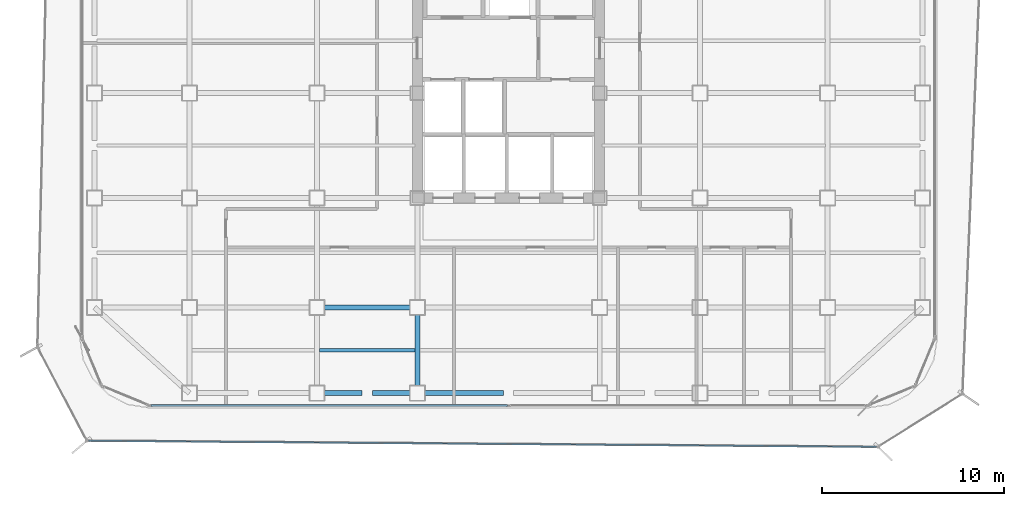
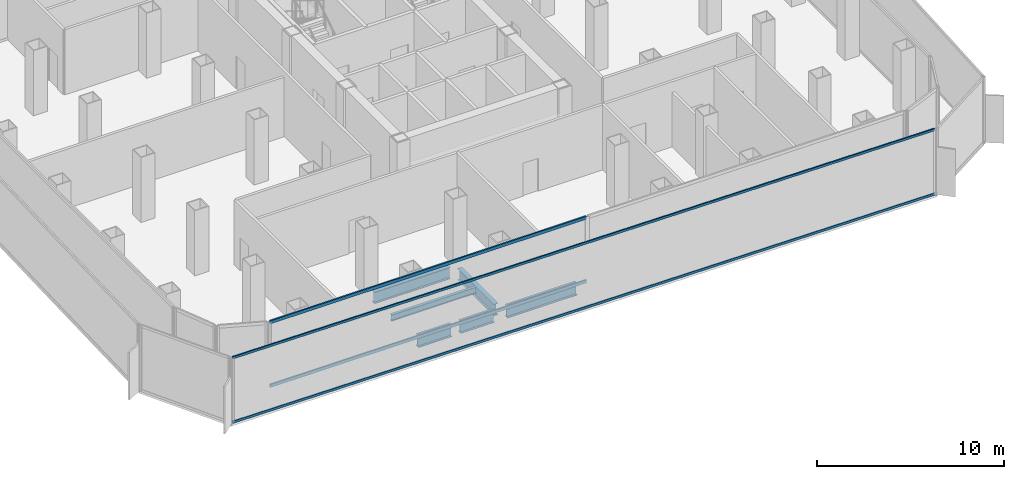
# One storey, part 3 of 21: 6 beams, 4 members, 2 elements without a shape of their own.
"""IFC4 building model written with IfcOpenShell, lengths in metres."""

import ifcopenshell
import ifcopenshell.guid

model = None  # the IFC model being written
_history = None  # IfcOwnerHistory: only IFC2X3 demands one
_inside = {}  # id of a spatial element -> (the spatial element, [elements in it])
_under = {}  # id of a project, library or spatial element -> (it, [spatial elements below it])
_declared = {}  # id of a project -> (the project, [libraries it declares])
_typed = {}  # id of a type object -> (the type object, [elements of that type])
_made_of = {}  # id of a material, layer set ... -> (it, [elements and type objects made of it])


def new_model(schema):
    """Start an empty IFC model of exactly this schema.

    Asked for "IFC4X3", IfcOpenShell would pick the latest addendum, in which some entities
    have other attributes; the version numbers below select the first issue.
    IFC2X3 requires an IfcOwnerHistory on every rooted entity: one is made here for all.
    """
    global model, _history
    if schema == "IFC4X3":
        model = ifcopenshell.file(schema_version=(4, 3, 0, 0))
    else:
        model = ifcopenshell.file(schema=schema)
    _inside.clear()
    _under.clear()
    _declared.clear()
    _typed.clear()
    _made_of.clear()
    _history = None
    if model.schema == "IFC2X3":
        org = make("IfcOrganization", Name="unknown")
        user = make(
            "IfcPersonAndOrganization",
            ThePerson=make("IfcPerson", FamilyName="unknown"),
            TheOrganization=org,
        )
        app = make(
            "IfcApplication",
            ApplicationDeveloper=org,
            Version="unknown",
            ApplicationFullName="unknown",
            ApplicationIdentifier="unknown",
        )
        _history = make(
            "IfcOwnerHistory",
            OwningUser=user,
            OwningApplication=app,
            ChangeAction="ADDED",
            CreationDate=0,
        )
    return model


def make(cls, **values):
    """One entity of the class cls with the attributes given. An attribute that is None is left unset."""
    return model.create_entity(
        cls, **{name: value for name, value in values.items() if value is not None}
    )


def rooted(cls, **values):
    """An entity with a GlobalId (a new one), such as an element, a storey or a relation."""
    return make(cls, GlobalId=ifcopenshell.guid.new(), OwnerHistory=_history, **values)


def si_unit(unit_type, name, prefix=None):
    """IfcSIUnit, for example si_unit("LENGTHUNIT", "METRE", prefix="MILLI")."""
    return make("IfcSIUnit", UnitType=unit_type, Prefix=prefix, Name=name)


def assignment(units):
    """IfcUnitAssignment: the units of a project."""
    return None if units is None else make("IfcUnitAssignment", Units=units)


def point(xyz):
    """IfcCartesianPoint."""
    return None if xyz is None else make("IfcCartesianPoint", Coordinates=xyz)


def direction(xyz):
    """IfcDirection."""
    return None if xyz is None else make("IfcDirection", DirectionRatios=xyz)


def frame(location, z_axis=None, x_axis=None):
    """IfcAxis2Placement3D, a coordinate frame: its origin and axes. An axis left out is left unset."""
    return make(
        "IfcAxis2Placement3D",
        Location=point(location),
        Axis=direction(z_axis),
        RefDirection=direction(x_axis),
    )


def frame_2d(location, x_axis=None):
    """IfcAxis2Placement2D, a coordinate frame in the plane: its origin and x axis."""
    return make(
        "IfcAxis2Placement2D", Location=point(location), RefDirection=direction(x_axis)
    )


def origin():
    """The frame at (0, 0, 0) with its axes left unset."""
    return frame((0.0, 0.0, 0.0))


def origin_2d():
    """The frame at (0, 0) in the plane with its x axis left unset."""
    return frame_2d((0.0, 0.0))


def place(relative_to, where):
    """IfcLocalPlacement: puts the frame where relative to a parent placement (None: the world)."""
    return make(
        "IfcLocalPlacement", PlacementRelTo=relative_to, RelativePlacement=where
    )


def context(
    kind, dimensions, precision=None, world=None, true_north=None, identifier=None
):
    """IfcGeometricRepresentationContext, for example the 3D "Model" context."""
    return make(
        "IfcGeometricRepresentationContext",
        ContextIdentifier=identifier,
        ContextType=kind,
        CoordinateSpaceDimension=dimensions,
        Precision=precision,
        WorldCoordinateSystem=world,
        TrueNorth=true_north,
    )


def subcontext(parent, identifier, kind, view, scale=None):
    """IfcGeometricRepresentationSubContext, for example "Body" below "Model"."""
    return make(
        "IfcGeometricRepresentationSubContext",
        ContextIdentifier=identifier,
        ContextType=kind,
        ParentContext=parent,
        TargetScale=scale,
        TargetView=view,
    )


def project(units=None, contexts=None):
    """IfcProject with its units and contexts."""
    return rooted(
        "IfcProject",
        Name="project",
        RepresentationContexts=contexts,
        UnitsInContext=assignment(units),
    )


def spatial(cls, under=None, at=None, **own):
    """A site, building, storey or space (cls), placed at a placement, below another one or the project."""
    s = rooted(cls, ObjectPlacement=at, **own)
    if under is not None:
        _under.setdefault(under.id(), (under, []))[1].append(s)
    return s


def profile(cls, at=None, kind="AREA", **sizes):
    """A parametric profile (cls). Its sizes go by their IFC names, for example OverallWidth=200.0."""
    return make(cls, ProfileType=kind, Position=at, **sizes)


def hollow_rectangle(**sizes):
    """IfcRectangleHollowProfileDef."""
    return profile("IfcRectangleHollowProfileDef", **sizes)


def i_section(**sizes):
    """IfcIShapeProfileDef."""
    return profile("IfcIShapeProfileDef", **sizes)


def extrude(swept, where, along, depth):
    """IfcExtrudedAreaSolid: the profile swept, set in the frame where, extruded along a direction by depth."""
    return make(
        "IfcExtrudedAreaSolid",
        SweptArea=swept,
        Position=where,
        ExtrudedDirection=direction(along),
        Depth=depth,
    )


def shape(context_of_items, identifier, shape_type, items):
    """IfcShapeRepresentation: the items that make up one representation, for example the "Body"."""
    return make(
        "IfcShapeRepresentation",
        ContextOfItems=context_of_items,
        RepresentationIdentifier=identifier,
        RepresentationType=shape_type,
        Items=items,
    )


def source(mapping_origin, context_of_items, identifier, shape_type, items):
    """IfcRepresentationMap: a shape defined once, which mapped items show again and again."""
    return make(
        "IfcRepresentationMap",
        MappingOrigin=mapping_origin,
        MappedRepresentation=shape(context_of_items, identifier, shape_type, items),
    )


def transform(
    local_origin,
    x_axis=None,
    y_axis=None,
    z_axis=None,
    scale=None,
    scale2=None,
    scale3=None,
    uniform=True,
):
    """IfcCartesianTransformationOperator3D, or its non-uniform kind. x_axis, y_axis, z_axis: its Axis1, 2, 3."""
    if uniform:
        return make(
            "IfcCartesianTransformationOperator3D",
            Axis1=direction(x_axis),
            Axis2=direction(y_axis),
            LocalOrigin=point(local_origin),
            Scale=scale,
            Axis3=direction(z_axis),
        )
    return make(
        "IfcCartesianTransformationOperator3DnonUniform",
        Axis1=direction(x_axis),
        Axis2=direction(y_axis),
        LocalOrigin=point(local_origin),
        Scale=scale,
        Axis3=direction(z_axis),
        Scale2=scale2,
        Scale3=scale3,
    )


def mapped(mapping_source, mapping_target):
    """IfcMappedItem: shows the shape of a source again, moved by a transform."""
    return make(
        "IfcMappedItem", MappingSource=mapping_source, MappingTarget=mapping_target
    )


def material(Name=None, Category=None):
    """IfcMaterial."""
    return make("IfcMaterial", Name=Name, Category=Category)


def layer(
    of_material, thickness, ventilated=None, Name=None, Category=None, Priority=None
):
    """IfcMaterialLayer: one layer of a wall or slab, of a material (None: an air gap)."""
    return make(
        "IfcMaterialLayer",
        Material=of_material,
        LayerThickness=thickness,
        IsVentilated=ventilated,
        Name=Name,
        Category=Category,
        Priority=Priority,
    )


def layer_set(layers, Name=None):
    """IfcMaterialLayerSet."""
    return make("IfcMaterialLayerSet", MaterialLayers=layers, LayerSetName=Name)


def material_profile(
    of_material, cross_section, Name=None, Category=None, Priority=None
):
    """IfcMaterialProfile: a cross section and its material."""
    return make(
        "IfcMaterialProfile",
        Name=Name,
        Material=of_material,
        Profile=cross_section,
        Priority=Priority,
        Category=Category,
    )


def profile_set(profiles, Name=None, composite=None):
    """IfcMaterialProfileSet."""
    return make(
        "IfcMaterialProfileSet",
        Name=Name,
        MaterialProfiles=profiles,
        CompositeProfile=composite,
    )


def made_of(thing, what):
    """Note that an element or type object is made of a material, layer set ...; save() writes the relation."""
    if what is not None:
        _made_of.setdefault(what.id(), (what, []))[1].append(thing)
    return thing


def type_object(cls, material=None, **own):
    """A type object (cls), such as IfcWallType, which elements share."""
    return made_of(rooted(cls, **own), material)


def element(
    cls,
    number,
    at=None,
    inside=None,
    cuts=None,
    type_object=None,
    material=None,
    context=None,
    identifier="Body",
    shape_type=None,
    held_by="IfcProductDefinitionShape",
    body=None,
    shapes=None,
    **own,
):
    """One element of the class cls, such as IfcWall. Its Tag is "e" and its number.

    at: its placement. inside: the storey or other place that contains it. cuts: it is an
    opening in that element (IfcRelVoidsElement). A single representation is given by context,
    identifier, shape_type and body (its items); several are given by shapes. held_by: the class
    of the entity that holds the representations. save() writes the other relations.
    """
    e = rooted(cls, Tag="e%d" % number, ObjectPlacement=at, **own)
    if body is not None:
        shapes = [shape(context, identifier, shape_type, body)]
    if shapes is not None:
        e.Representation = make(held_by, Representations=shapes)
    if inside is not None:
        _inside.setdefault(inside.id(), (inside, []))[1].append(e)
    if cuts is not None:
        rooted(
            "IfcRelVoidsElement", RelatingBuildingElement=cuts, RelatedOpeningElement=e
        )
    if type_object is not None:
        _typed.setdefault(type_object.id(), (type_object, []))[1].append(e)
    return made_of(e, material)


def aggregate(whole, parts):
    """IfcRelAggregates: a whole, such as a stair, and the parts it consists of."""
    return rooted("IfcRelAggregates", RelatingObject=whole, RelatedObjects=parts)


def save(model, path):
    """Write the relations noted so far, then the file.

    IfcRelAggregates (storeys below a building ...), IfcRelContainedInSpatialStructure (elements
    in a storey), IfcRelDefinesByType, IfcRelAssociatesMaterial and IfcRelDeclares: one each for
    every whole, place, type object, material and project.
    """
    for whole, parts in _under.values():
        aggregate(whole, parts)
    for where, things in _inside.values():
        rooted(
            "IfcRelContainedInSpatialStructure",
            RelatedElements=things,
            RelatingStructure=where,
        )
    for kind, things in _typed.values():
        rooted("IfcRelDefinesByType", RelatedObjects=things, RelatingType=kind)
    for what, things in _made_of.values():
        rooted("IfcRelAssociatesMaterial", RelatedObjects=things, RelatingMaterial=what)
    for by, libraries in _declared.values():
        rooted("IfcRelDeclares", RelatingContext=by, RelatedDefinitions=libraries)
    model.write(path)


model = new_model("IFC4")

# Units and contexts
model_context = context("Model", 3, precision=1e-05, world=origin(), true_north=direction((0.0, 1.0)))
body_context = subcontext(model_context, "Body", "Model", "MODEL_VIEW")
ifc_project = project(units=[si_unit("LENGTHUNIT", "METRE"), si_unit("AREAUNIT", "SQUARE_METRE"), si_unit("VOLUMEUNIT", "CUBIC_METRE"), si_unit("PLANEANGLEUNIT", "RADIAN"), si_unit("MASSUNIT", "GRAM", prefix="KILO")], contexts=[model_context])

# Site, building, storey
site_placement = place(None, origin())
site = spatial("IfcSite", under=ifc_project, at=site_placement, CompositionType="ELEMENT")
building_placement = place(site_placement, origin())
building = spatial("IfcBuilding", under=site, at=building_placement, Name="Kolveth Station Tower", CompositionType="ELEMENT")
storey_placement = place(building_placement, frame((0.0, 0.0, 88.199951171875)))
storey = spatial("IfcBuildingStorey", under=building, at=storey_placement, Name="L23", CompositionType="ELEMENT", Elevation=88.199951171875)

# Beams
ifc_material_1 = material(Name="Steel S355", Category="steel")
ifc_material_profile_1 = material_profile(ifc_material_1, i_section(OverallWidth=0.26904296875, OverallDepth=0.77490234375, WebThickness=0.01708984375, FlangeThickness=0.0283203125, at=origin_2d()), Name="W760x220")
ifc_profile_set_1 = profile_set([ifc_material_profile_1], Name="Steel S355")
beam_type_1 = type_object("IfcBeamType", Name="Beam_SP1", PredefinedType="SPANDREL", material=ifc_profile_set_1)
shared_shape_1 = source(origin(), body_context, "Body", "SweptSolid", [
    extrude(i_section(OverallWidth=0.26904296875, OverallDepth=0.77490234375, WebThickness=0.01708984375, FlangeThickness=0.0283203125, at=origin_2d()), origin(), (0.0, 0.0, 1.0), 2.070068359375),
])
for number, where, z_axis, x_axis, name in (
    (1, (13.39990234375, 0.800048828125, -0.74755859375), (1.0, 0.0, 0.0), (0.0, 1.0, 0.0), "L23 Perimeter Spandrel BM-L23-PS-3"),
    (2, (16.030029296875, 0.800048828125, -0.74755859375), (1.0, 0.0, 0.0), (0.0, 1.0, 0.0), "L23 Perimeter Spandrel BM-L23-PS-4"),
):
    element("IfcBeam", number, at=place(storey_placement, frame(where, z_axis=z_axis, x_axis=x_axis)), inside=storey, type_object=beam_type_1, Name=name, PredefinedType="SPANDREL", context=body_context, shape_type="MappedRepresentation", body=[
        mapped(shared_shape_1, transform((0.0, 0.0, 0.0), x_axis=(1.0, 0.0, 0.0), y_axis=(0.0, 1.0, 0.0), z_axis=(0.0, 0.0, 1.0), scale=1.0)),
    ])
shared_shape_2 = source(origin(), body_context, "Body", "SweptSolid", [
    extrude(i_section(OverallWidth=0.26904296875, OverallDepth=0.77490234375, WebThickness=0.01708984375, FlangeThickness=0.0283203125, at=origin_2d()), origin(), (0.0, 0.0, 1.0), 4.320068359375),
])
beam_1_placement = place(storey_placement, frame((18.89990234375, 0.800048828125, -0.74755859375), z_axis=(1.0, 0.0, 0.0), x_axis=(0.0, 1.0, 0.0)))
element("IfcBeam", 3, at=beam_1_placement, inside=storey, type_object=beam_type_1, Name="L23 Perimeter Spandrel BM-L23-PS-5", PredefinedType="SPANDREL", context=body_context, shape_type="MappedRepresentation", body=[
    mapped(shared_shape_2, transform((0.0, 0.0, 0.0), x_axis=(1.0, 0.0, 0.0), y_axis=(0.0, 1.0, 0.0), z_axis=(0.0, 0.0, 1.0), scale=1.0)),
])
ifc_material_profile_2 = material_profile(ifc_material_1, i_section(OverallWidth=0.26708984375, OverallDepth=0.76611328125, WebThickness=0.014892578125, FlangeThickness=0.023681640625, at=origin_2d()), Name="W760x185")
ifc_profile_set_2 = profile_set([ifc_material_profile_2], Name="Steel S355")
beam_type_2 = type_object("IfcBeamType", Name="Beam_B3", PredefinedType="BEAM", material=ifc_profile_set_2)
shared_shape_3 = source(origin(), body_context, "Body", "SweptSolid", [
    extrude(i_section(OverallWidth=0.26708984375, OverallDepth=0.76611328125, WebThickness=0.014892578125, FlangeThickness=0.023681640625, at=origin_2d()), origin(), (0.0, 0.0, 1.0), 4.7001953125),
])
beam_2_placement = place(storey_placement, frame((13.39990234375, 5.5, -0.742919921875), z_axis=(1.0, 0.0, 0.0), x_axis=(0.0, 1.0, 0.0)))
element("IfcBeam", 4, at=beam_2_placement, inside=storey, type_object=beam_type_2, Name="L23 Primary Girder BM-L23-GY55-3", PredefinedType="BEAM", context=body_context, shape_type="MappedRepresentation", body=[
    mapped(shared_shape_3, transform((0.0, 0.0, 0.0), x_axis=(1.0, 0.0, 0.0), y_axis=(0.0, 1.0, 0.0), z_axis=(0.0, 0.0, 1.0), scale=1.0)),
])
shared_shape_4 = source(origin(), body_context, "Body", "SweptSolid", [
    extrude(i_section(OverallWidth=0.26708984375, OverallDepth=0.76611328125, WebThickness=0.014892578125, FlangeThickness=0.023681640625, at=origin_2d()), origin(), (0.0, 0.0, 1.0), 3.900146484375),
])
beam_3_placement = place(storey_placement, frame((18.5, 1.199951171875, -0.742919921875), z_axis=(0.0, 1.0, 0.0), x_axis=(-1.0, 0.0, 0.0)))
element("IfcBeam", 5, at=beam_3_placement, inside=storey, type_object=beam_type_2, Name="L23 Primary Girder BM-L23-GX185-1", PredefinedType="BEAM", context=body_context, shape_type="MappedRepresentation", body=[
    mapped(shared_shape_4, transform((0.0, 0.0, 0.0), x_axis=(1.0, 0.0, 0.0), y_axis=(0.0, 1.0, 0.0), z_axis=(0.0, 0.0, 1.0), scale=1.0)),
])
ifc_material_profile_3 = material_profile(ifc_material_1, i_section(OverallWidth=0.177978515625, OverallDepth=0.406982421875, WebThickness=0.0078125, FlangeThickness=0.0126953125, at=origin_2d()), Name="W410x60")
ifc_profile_set_3 = profile_set([ifc_material_profile_3], Name="Steel S355")
beam_type_3 = type_object("IfcBeamType", Name="Beam_J1", PredefinedType="JOIST", material=ifc_profile_set_3)
shared_shape_5 = source(origin(), body_context, "Body", "SweptSolid", [
    extrude(i_section(OverallWidth=0.177978515625, OverallDepth=0.406982421875, WebThickness=0.0078125, FlangeThickness=0.0126953125, at=origin_2d()), origin(), (0.0, 0.0, 1.0), 5.23681640625),
])
beam_4_placement = place(storey_placement, frame((13.131591796875, 3.14990234375, -0.5634765625), z_axis=(1.0, 0.0, 0.0), x_axis=(0.0, 1.0, 0.0)))
element("IfcBeam", 6, at=beam_4_placement, inside=storey, type_object=beam_type_3, Name="L23 Secondary Joist JST-L23-3-1", PredefinedType="JOIST", context=body_context, shape_type="MappedRepresentation", body=[
    mapped(shared_shape_5, transform((0.0, 0.0, 0.0), x_axis=(1.0, 0.0, 0.0), y_axis=(0.0, 1.0, 0.0), z_axis=(0.0, 0.0, 1.0), scale=1.0)),
])

# Curtain wall, members
ifc_material_2 = material(Name="Aluminium 6063-T6 and acoustic laminated dark glass", Category="aluminium")
ifc_layer_1 = layer(ifc_material_2, 0.219970703125)
ifc_layer_set_1 = layer_set([ifc_layer_1], Name="Aluminium 6063-T6 and acoustic laminated dark glass")
curtain_wall_type_1 = type_object("IfcCurtainWallType", Name="CurtainWall_CW-SL", PredefinedType="NOTDEFINED", material=ifc_layer_set_1)
curtain_wall_1_placement = place(storey_placement, origin())
curtain_wall_1 = element("IfcCurtainWall", 7, at=curtain_wall_1_placement, inside=storey, type_object=curtain_wall_type_1, Name="L23 Inner Thermal Curtain Wall 12", PredefinedType="NOTDEFINED")
ifc_material_3 = material(Name="Black anodized aluminium 6063-T6", Category="aluminium")
ifc_material_profile_4 = material_profile(ifc_material_3, hollow_rectangle(XDim=0.090087890625, YDim=0.199951171875, WallThickness=0.0048828125, at=origin_2d()), Name="ALU-90x200x5")
ifc_profile_set_4 = profile_set([ifc_material_profile_4], Name="Black anodized aluminium 6063-T6")
member_type_1 = type_object("IfcMemberType", Name="Transom_TR-SL", PredefinedType="USERDEFINED", material=ifc_profile_set_4)
shared_shape_6 = source(origin(), body_context, "Body", "SweptSolid", [
    extrude(hollow_rectangle(XDim=0.090087890625, YDim=0.199951171875, WallThickness=0.0048828125, at=origin_2d()), origin(), (0.0, 0.0, 1.0), 19.557373046875),
])
member_1_placement = place(storey_placement, frame((3.89501953125, 0.1201171875, 0.045166015625), z_axis=(1.0, 0.0, 0.0), x_axis=(0.0, 1.0, 0.0)))
member_1 = element("IfcMember", 8, at=member_1_placement, type_object=member_type_1, Name="CW-SL transom 1.1", ObjectType="TRANSOM", PredefinedType="USERDEFINED", context=body_context, shape_type="MappedRepresentation", body=[
    mapped(shared_shape_6, transform((0.0, 0.0, 0.0), x_axis=(1.0, 0.0, 0.0), y_axis=(0.0, 1.0, 0.0), z_axis=(0.0, 0.0, 1.0), scale=1.0)),
])
member_2_placement = place(storey_placement, frame((3.89501953125, 0.1201171875, 4.205078125), z_axis=(1.0, 0.0, 0.0), x_axis=(0.0, 1.0, 0.0)))
member_2 = element("IfcMember", 9, at=member_2_placement, type_object=member_type_1, Name="CW-SL transom 1.2", ObjectType="TRANSOM", PredefinedType="USERDEFINED", context=body_context, shape_type="MappedRepresentation", body=[
    mapped(shared_shape_6, transform((0.0, 0.0, 0.0), x_axis=(1.0, 0.0, 0.0), y_axis=(0.0, 1.0, 0.0), z_axis=(0.0, 0.0, 1.0), scale=1.0)),
])
aggregate(curtain_wall_1, [member_1, member_2])

ifc_material_4 = material(Name="Black anodized aluminium 6063-T6 and dark solar glass", Category="aluminium")
ifc_layer_2 = layer(ifc_material_4, 0.159912109375)
ifc_layer_set_2 = layer_set([ifc_layer_2], Name="Black anodized aluminium 6063-T6 and dark solar glass")
curtain_wall_type_2 = type_object("IfcCurtainWallType", Name="OUTER SKIN CW-OS", PredefinedType="NOTDEFINED", material=ifc_layer_set_2)
curtain_wall_2_placement = place(storey_placement, origin())
curtain_wall_2 = element("IfcCurtainWall", 10, at=curtain_wall_2_placement, inside=storey, type_object=curtain_wall_type_2, Name="L23 Outer Ventilated Skin Curtain Wall 8", PredefinedType="NOTDEFINED")
ifc_material_profile_5 = material_profile(ifc_material_3, hollow_rectangle(XDim=0.080078125, YDim=0.14990234375, WallThickness=0.0048828125, at=origin_2d()), Name="ALU-80x150x5")
ifc_profile_set_5 = profile_set([ifc_material_profile_5], Name="Black anodized aluminium 6063-T6")
member_type_2 = type_object("IfcMemberType", Name="Transom_TR-OS", PredefinedType="USERDEFINED", material=ifc_profile_set_5)
shared_shape_7 = source(origin(), body_context, "Body", "SweptSolid", [
    extrude(hollow_rectangle(XDim=0.080078125, YDim=0.14990234375, WallThickness=0.0048828125, at=origin_2d()), origin(), (0.0, 0.0, 1.0), 43.19873046875),
])
member_3_placement = place(storey_placement, frame((0.4755859375, -1.80810546875, 0.0400390625), z_axis=(0.999969630235, -0.007793497799, 0.0), x_axis=(0.007793497799, 0.999969630235, 0.0)))
member_3 = element("IfcMember", 11, at=member_3_placement, type_object=member_type_2, Name="CW-OS transom 1.1", ObjectType="TRANSOM", PredefinedType="USERDEFINED", context=body_context, shape_type="MappedRepresentation", body=[
    mapped(shared_shape_7, transform((0.0, 0.0, 0.0), x_axis=(1.0, 0.0, 0.0), y_axis=(0.0, 1.0, 0.0), z_axis=(0.0, 0.0, 1.0), scale=1.0)),
])
member_4_placement = place(storey_placement, frame((0.4755859375, -1.80810546875, 4.25), z_axis=(0.999969630235, -0.007793497799, 0.0), x_axis=(0.007793497799, 0.999969630235, 0.0)))
member_4 = element("IfcMember", 12, at=member_4_placement, type_object=member_type_2, Name="CW-OS transom 1.2", ObjectType="TRANSOM", PredefinedType="USERDEFINED", context=body_context, shape_type="MappedRepresentation", body=[
    mapped(shared_shape_7, transform((0.0, 0.0, 0.0), x_axis=(1.0, 0.0, 0.0), y_axis=(0.0, 1.0, 0.0), z_axis=(0.0, 0.0, 1.0), scale=1.0)),
])
aggregate(curtain_wall_2, [member_3, member_4])

save(model, "model.ifc")
